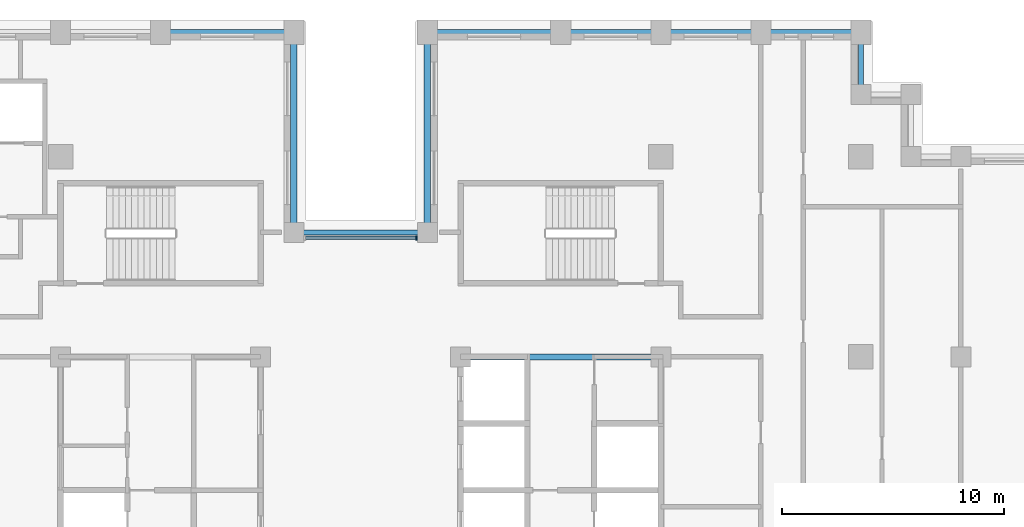
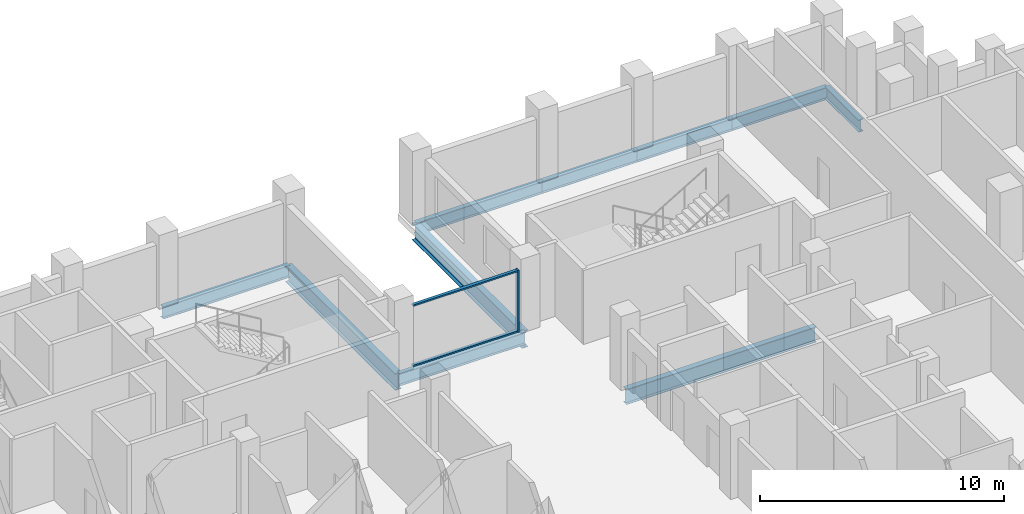
# One storey, part 4 of 16: 10 beams, 3 members, 1 element without a shape of its own.
"""IFC4 building model written with IfcOpenShell, lengths in metres."""

from ifc_helpers import new_model, si_unit, direction, frame, origin, origin_2d, place, context, subcontext, project, spatial, rectangle, i_section, extrude, material, layer, layer_set, material_profile, profile_set, type_object, element, aggregate, save


model = new_model("IFC4")

# Units and contexts
model_context = context("Model", 3, precision=1e-05, world=origin(), true_north=direction((0.0, 1.0)))
body_context = subcontext(model_context, "Body", "Model", "MODEL_VIEW")
ifc_project = project(units=[si_unit("LENGTHUNIT", "METRE"), si_unit("AREAUNIT", "SQUARE_METRE"), si_unit("VOLUMEUNIT", "CUBIC_METRE"), si_unit("PLANEANGLEUNIT", "RADIAN"), si_unit("MASSUNIT", "GRAM", prefix="KILO")], contexts=[model_context])

# Site, building, storey
site_placement = place(None, origin())
site = spatial("IfcSite", under=ifc_project, at=site_placement, CompositionType="ELEMENT")
building_placement = place(site_placement, origin())
building = spatial("IfcBuilding", under=site, at=building_placement, Name="Corbelhall Arena Tower", CompositionType="ELEMENT")
storey_placement = place(building_placement, frame((0.0, 0.0, 150.0)))
storey = spatial("IfcBuildingStorey", under=building, at=storey_placement, Name="L29", CompositionType="ELEMENT", Elevation=150.0)

# Curtain wall, members
ifc_material_1 = material(Name="Aluminium black anodised", Category="aluminium")
ifc_layer = layer(ifc_material_1, 0.199951171875)
ifc_layer_set = layer_set([ifc_layer], Name="EV-CW1 Slot back wall")
curtain_wall_type = type_object("IfcCurtainWallType", Name="EV-CW1 Slot back wall", PredefinedType="NOTDEFINED", material=ifc_layer_set)
curtain_wall_placement = place(storey_placement, origin())
curtain_wall = element("IfcCurtainWall", 1, at=curtain_wall_placement, inside=storey, type_object=curtain_wall_type, Name="Curtain wall CW1", PredefinedType="NOTDEFINED")
ifc_material_profile_1 = material_profile(ifc_material_1, rectangle(XDim=0.199951171875, YDim=0.074951171875, at=origin_2d()))
ifc_profile_set_1 = profile_set([ifc_material_profile_1], Name="Aluminium black anodised")
member_type_1 = type_object("IfcMemberType", Name="EV-CW1-MULLION", PredefinedType="MULLION", material=ifc_profile_set_1)
member_1_placement = place(storey_placement, frame((2.512451171875, 14.35009765625, 0.0), z_axis=(0.0, 0.0, 1.0), x_axis=(0.0, -1.0, 0.0)))
member_1 = element("IfcMember", 2, at=member_1_placement, type_object=member_type_1, Name="CW1 mullion 1", PredefinedType="MULLION", context=body_context, shape_type="SweptSolid", body=[
    extrude(rectangle(XDim=0.199951171875, YDim=0.074951171875, at=origin_2d()), origin(), (0.0, 0.0, 1.0), 3.10009765625),
])
ifc_material_profile_2 = material_profile(ifc_material_1, rectangle(XDim=0.14990234375, YDim=0.074951171875, at=origin_2d()))
ifc_profile_set_2 = profile_set([ifc_material_profile_2], Name="Aluminium black anodised")
member_type_2 = type_object("IfcMemberType", Name="EV-CW1-TRANSOM", PredefinedType="USERDEFINED", material=ifc_profile_set_2)
member_2_placement = place(storey_placement, frame((2.47509765625, 14.35009765625, 0.03759765625), z_axis=(-1.0, 0.0, 0.0), x_axis=(0.0, -1.0, 0.0)))
member_2 = element("IfcMember", 3, at=member_2_placement, type_object=member_type_2, Name="CW1 transom 1.1", ObjectType="transom", PredefinedType="USERDEFINED", context=body_context, shape_type="SweptSolid", body=[
    extrude(rectangle(XDim=0.14990234375, YDim=0.074951171875, at=origin_2d()), origin(), (0.0, 0.0, 1.0), 4.9501953125),
])
member_3_placement = place(storey_placement, frame((2.47509765625, 14.35009765625, 3.0625), z_axis=(-1.0, 0.0, 0.0), x_axis=(0.0, -1.0, 0.0)))
member_3 = element("IfcMember", 4, at=member_3_placement, type_object=member_type_2, Name="CW1 transom 1.2", ObjectType="transom", PredefinedType="USERDEFINED", context=body_context, shape_type="SweptSolid", body=[
    extrude(rectangle(XDim=0.14990234375, YDim=0.074951171875, at=origin_2d()), origin(), (0.0, 0.0, 1.0), 4.9501953125),
])
aggregate(curtain_wall, [member_1, member_2, member_3])

# Beams
ifc_material_2 = material(Name="Steel ASTM A992 Gr50", Category="steel")
ifc_material_profile_3 = material_profile(ifc_material_2, i_section(OverallWidth=0.2666015625, OverallDepth=0.761962890625, WebThickness=0.014404296875, FlangeThickness=0.021484375, at=origin_2d()))
ifc_profile_set_3 = profile_set([ifc_material_profile_3], Name="Steel ASTM A992 Gr50")
beam_type_1 = type_object("IfcBeamType", Name="ST-BEAM-W30x116", PredefinedType="BEAM", material=ifc_profile_set_3)
beam_1_placement = place(storey_placement, frame((4.5, 9.0, -0.680908203125), z_axis=(1.0, 0.0, 0.0), x_axis=(0.0, 1.0, 0.0)))
element("IfcBeam", 5, at=beam_1_placement, inside=storey, type_object=beam_type_1, Name="Beam CEE 12", PredefinedType="BEAM", context=body_context, shape_type="SweptSolid", body=[
    extrude(i_section(OverallWidth=0.2666015625, OverallDepth=0.761962890625, WebThickness=0.014404296875, FlangeThickness=0.021484375, at=origin_2d()), origin(), (0.0, 0.0, 1.0), 9.0),
])
ifc_material_profile_4 = material_profile(ifc_material_2, i_section(OverallWidth=0.22900390625, OverallDepth=0.612060546875, WebThickness=0.011962890625, FlangeThickness=0.01953125, at=origin_2d()))
ifc_profile_set_4 = profile_set([ifc_material_profile_4], Name="Steel ASTM A992 Gr50")
beam_type_2 = type_object("IfcBeamType", Name="ST-SPANDREL-W24x84", PredefinedType="SPANDREL", material=ifc_profile_set_4)
beam_2_placement = place(storey_placement, frame((3.0, 23.60009765625, -0.60595703125), z_axis=(1.0, 0.0, 0.0), x_axis=(0.0, 1.0, 0.0)))
element("IfcBeam", 6, at=beam_2_placement, inside=storey, type_object=beam_type_2, Name="Beam SP 17", PredefinedType="SPANDREL", context=body_context, shape_type="SweptSolid", body=[
    extrude(i_section(OverallWidth=0.22900390625, OverallDepth=0.612060546875, WebThickness=0.011962890625, FlangeThickness=0.01953125, at=origin_2d()), origin(), (0.0, 0.0, 1.0), 6.0),
])
for number, where, z_axis, x_axis, name in (
    (7, (9.0, 23.60009765625, -0.60595703125), (1.0, 0.0, 0.0), (0.0, 1.0, 0.0), "Beam SP 18"),
    (8, (13.5, 23.60009765625, -0.60595703125), (1.0, 0.0, 0.0), (0.0, 1.0, 0.0), "Beam SP 19"),
    (9, (18.0, 23.60009765625, -0.60595703125), (1.0, 0.0, 0.0), (0.0, 1.0, 0.0), "Beam SP 20"),
):
    element("IfcBeam", number, at=place(storey_placement, frame(where, z_axis=z_axis, x_axis=x_axis)), inside=storey, type_object=beam_type_2, Name=name, PredefinedType="SPANDREL", context=body_context, shape_type="SweptSolid", body=[
        extrude(i_section(OverallWidth=0.22900390625, OverallDepth=0.612060546875, WebThickness=0.011962890625, FlangeThickness=0.01953125, at=origin_2d()), origin(), (0.0, 0.0, 1.0), 4.5),
    ])
beam_3_placement = place(storey_placement, frame((22.5, 23.60009765625, -0.60595703125), z_axis=(0.0, -1.0, 0.0), x_axis=(1.0, 0.0, 0.0)))
element("IfcBeam", 10, at=beam_3_placement, inside=storey, type_object=beam_type_2, Name="Beam SP 21", PredefinedType="SPANDREL", context=body_context, shape_type="SweptSolid", body=[
    extrude(i_section(OverallWidth=0.22900390625, OverallDepth=0.612060546875, WebThickness=0.011962890625, FlangeThickness=0.01953125, at=origin_2d()), origin(), (0.0, 0.0, 1.0), 2.800048828125),
])
for number, where, z_axis, x_axis, name in (
    (11, (-9.0, 23.60009765625, -0.60595703125), (1.0, 0.0, 0.0), (0.0, 1.0, 0.0), "Beam SP 23"),
    (12, (-3.0, 14.60009765625, -0.60595703125), (1.0, 0.0, 0.0), (0.0, 1.0, 0.0), "Beam SP 40"),
):
    element("IfcBeam", number, at=place(storey_placement, frame(where, z_axis=z_axis, x_axis=x_axis)), inside=storey, type_object=beam_type_2, Name=name, PredefinedType="SPANDREL", context=body_context, shape_type="SweptSolid", body=[
        extrude(i_section(OverallWidth=0.22900390625, OverallDepth=0.612060546875, WebThickness=0.011962890625, FlangeThickness=0.01953125, at=origin_2d()), origin(), (0.0, 0.0, 1.0), 6.0),
    ])
ifc_material_profile_5 = material_profile(ifc_material_2, i_section(OverallWidth=0.2919921875, OverallDepth=0.845703125, WebThickness=0.015380859375, FlangeThickness=0.0244140625, at=origin_2d()))
ifc_profile_set_5 = profile_set([ifc_material_profile_5], Name="Steel ASTM A992 Gr50")
beam_type_3 = type_object("IfcBeamType", Name="ST-SPANDREL-W33x141", PredefinedType="SPANDREL", material=ifc_profile_set_5)
for number, where, z_axis, x_axis, name in (
    (13, (-3.0, 23.60009765625, -0.722900390625), (0.0, -1.0, 0.0), (1.0, 0.0, 0.0), "Beam SP 22"),
    (14, (3.0, 14.60009765625, -0.722900390625), (0.0, 1.0, 0.0), (-1.0, 0.0, 0.0), "Beam SP 39"),
):
    element("IfcBeam", number, at=place(storey_placement, frame(where, z_axis=z_axis, x_axis=x_axis)), inside=storey, type_object=beam_type_3, Name=name, PredefinedType="SPANDREL", context=body_context, shape_type="SweptSolid", body=[
        extrude(i_section(OverallWidth=0.2919921875, OverallDepth=0.845703125, WebThickness=0.015380859375, FlangeThickness=0.0244140625, at=origin_2d()), origin(), (0.0, 0.0, 1.0), 9.0),
    ])

save(model, "model.ifc")
